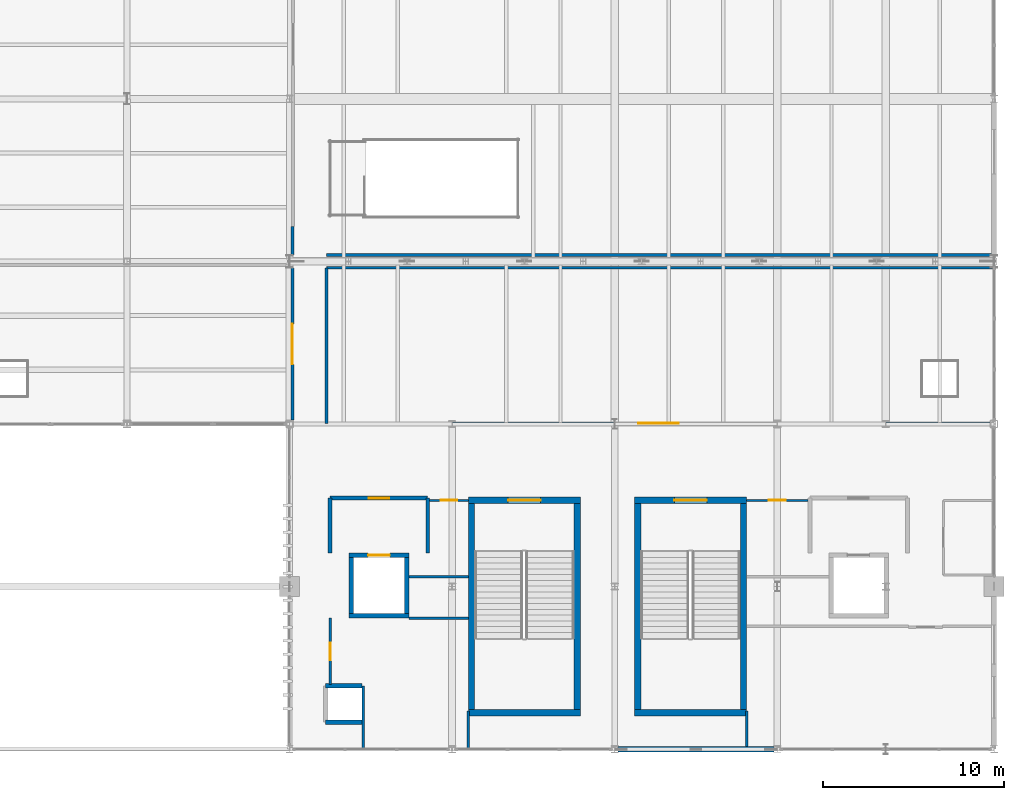
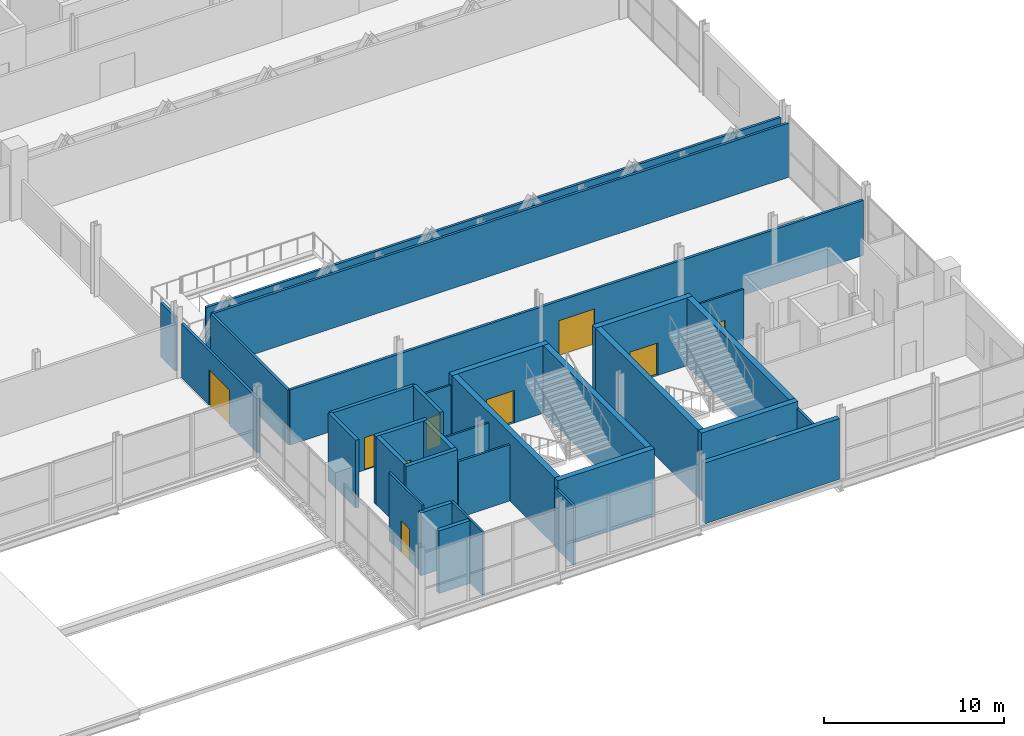
# One storey, part 196 of 224: 32 walls, 9 doors, 9 openings.
"""IFC4 building model written with IfcOpenShell, lengths in metres."""

from ifc_helpers import new_model, si_unit, direction, frame, frame_2d, origin, place, context, subcontext, project, spatial, rectangle, extrude, material, layer, layer_set, type_object, element, fill, save


model = new_model("IFC4")

# Units and contexts
model_context = context("Model", 3, precision=1e-05, world=origin(), true_north=direction((0.0, 1.0)))
body_context = subcontext(model_context, "Body", "Model", "MODEL_VIEW")
ifc_project = project(units=[si_unit("LENGTHUNIT", "METRE"), si_unit("AREAUNIT", "SQUARE_METRE"), si_unit("VOLUMEUNIT", "CUBIC_METRE"), si_unit("PLANEANGLEUNIT", "RADIAN"), si_unit("MASSUNIT", "GRAM", prefix="KILO")], contexts=[model_context])

# Site, building, storey
site_placement = place(None, origin())
site = spatial("IfcSite", under=ifc_project, at=site_placement, CompositionType="ELEMENT")
building_placement = place(site_placement, origin())
building = spatial("IfcBuilding", under=site, at=building_placement, Name="Qamarlyn Nura Convention Centre", CompositionType="ELEMENT")
storey_placement = place(building_placement, frame((0.0, 0.0, 10.800048828125)))
storey = spatial("IfcBuildingStorey", under=building, at=storey_placement, Name="L02", CompositionType="ELEMENT", Elevation=10.800048828125)

# Wall, opening, door
ifc_material_1 = material(Name="Fire-rated acoustic gypsum board and mineral wool EI 120")
ifc_layer_1 = layer(ifc_material_1, 0.219970703125, Name="WT-COMP-220")
ifc_layer_set_1 = layer_set([ifc_layer_1], Name="Fire-rated acoustic gypsum board and mineral wool EI 120")
wall_type_1 = type_object("IfcWallType", Name="WT-COMP-220", PredefinedType="SOLIDWALL", material=ifc_layer_set_1)
wall_1_placement = place(storey_placement, frame((155.25, 13.89990234375, 0.0), z_axis=(0.0, 0.0, 1.0), x_axis=(1.0, 0.0, 0.0)))
wall_1 = element("IfcWall", 1, at=wall_1_placement, inside=storey, type_object=wall_type_1, Name="L02 firefighting lobby barrier wall FFL-01-OPP", PredefinedType="SOLIDWALL", context=body_context, shape_type="SweptSolid", body=[
    extrude(rectangle(XDim=5.39990234375, YDim=0.219970703125, at=frame_2d((2.699951171875, 0.0))), origin(), (0.0, 0.0, 1.0), 4.599853515625),
])
opening_1_placement = place(wall_1_placement, frame((2.139892578125, 0.0, 0.0)))
opening_1 = element("IfcOpeningElement", 2, at=opening_1_placement, cuts=wall_1, Name="Opening DF-106", PredefinedType="OPENING", context=body_context, shape_type="SweptSolid", body=[
    extrude(rectangle(XDim=1.1201171875, YDim=2.199951171875, at=frame_2d((0.56005859375, 1.10009765625))), frame((0.0, 0.1201171875, 0.0), z_axis=(0.0, -1.0, 0.0), x_axis=(1.0, 0.0, 0.0)), (0.0, 0.0, 1.0), 0.239990234375),
])
ifc_material_2 = material(Name="Galvanised fire-rated hollow steel door", Category="steel")
door_type_1 = type_object("IfcDoorType", Name="DR-FFL-1120", OperationType="NOTDEFINED", PredefinedType="DOOR", material=ifc_material_2)
door_1_placement = place(opening_1_placement, origin())
door_1 = element("IfcDoor", 3, at=door_1_placement, inside=storey, type_object=door_type_1, Name="L02 firefighting lobby door FFL-01 (DF-106)", OperationType="SINGLE_SWING_RIGHT", OverallHeight=2.199951171875, OverallWidth=1.1201171875, PredefinedType="DOOR", context=body_context, shape_type="SweptSolid", body=[
    extrude(rectangle(XDim=1.1201171875, YDim=2.199951171875, at=frame_2d((0.56005859375, 1.10009765625))), frame((0.0, 0.02490234375, 0.0), z_axis=(0.0, -1.0, 0.0), x_axis=(1.0, 0.0, 0.0)), (0.0, 0.0, 1.0), 0.050048828125),
])
fill(opening_1, door_1)

# Walls
for number, where, z_axis, x_axis, name in (
    (4, (155.25, 10.85009765625, 0.0), (0.0, 0.0, 1.0), (0.0, 1.0, 0.0), "L02 firefighting lobby barrier wall FFL-01-W"),
    (5, (160.64990234375, 10.85009765625, 0.0), (0.0, 0.0, 1.0), (0.0, 1.0, 0.0), "L02 firefighting lobby barrier wall FFL-01-E"),
):
    element("IfcWall", number, at=place(storey_placement, frame(where, z_axis=z_axis, x_axis=x_axis)), inside=storey, type_object=wall_type_1, Name=name, PredefinedType="SOLIDWALL", context=body_context, shape_type="SweptSolid", body=[
        extrude(rectangle(XDim=3.0498046875, YDim=0.219970703125, at=frame_2d((1.52490234375, 0.0))), origin(), (0.0, 0.0, 1.0), 4.599853515625),
    ])
ifc_material_3 = material(Name="Concrete C50/60", Category="concrete")
ifc_layer_2 = layer(ifc_material_3, 0.35009765625, Name="WT-CORE-350")
ifc_layer_set_2 = layer_set([ifc_layer_2], Name="Concrete C50/60")
wall_type_2 = type_object("IfcWallType", Name="WT-CORE-350", PredefinedType="SHEAR", material=ifc_layer_set_2)
wall_2_placement = place(storey_placement, frame((162.89990234375, 2.02490234375, 0.0), z_axis=(0.0, 0.0, 1.0), x_axis=(1.0, 0.0, 0.0)))
element("IfcWall", 6, at=wall_2_placement, inside=storey, type_object=wall_type_2, Name="L02 stair core shear wall ST-09-S", PredefinedType="SHEAR", context=body_context, shape_type="SweptSolid", body=[
    extrude(rectangle(XDim=6.2001953125, YDim=0.35009765625, at=frame_2d((3.10009765625, 0.0))), origin(), (0.0, 0.0, 1.0), 4.599853515625),
])

# Wall, opening, door
wall_3_placement = place(storey_placement, frame((169.10009765625, 13.77490234375, 0.0), z_axis=(0.0, 0.0, 1.0), x_axis=(-1.0, 0.0, 0.0)))
wall_3 = element("IfcWall", 7, at=wall_3_placement, inside=storey, type_object=wall_type_2, Name="L02 stair core shear wall ST-09-N", PredefinedType="SHEAR", context=body_context, shape_type="SweptSolid", body=[
    extrude(rectangle(XDim=6.2001953125, YDim=0.35009765625, at=frame_2d((3.10009765625, 0.0))), origin(), (0.0, 0.0, 1.0), 4.599853515625),
])
opening_2_placement = place(wall_3_placement, frame((2.199951171875, 0.0, 0.0)))
opening_2 = element("IfcOpeningElement", 8, at=opening_2_placement, cuts=wall_3, Name="Opening DS-032", PredefinedType="OPENING", context=body_context, shape_type="SweptSolid", body=[
    extrude(rectangle(XDim=1.800048828125, YDim=2.199951171875, at=frame_2d((0.89990234375, 1.10009765625))), frame((0.0, 0.18505859375, 0.0), z_axis=(0.0, -1.0, 0.0), x_axis=(1.0, 0.0, 0.0)), (0.0, 0.0, 1.0), 0.3701171875),
])
door_type_2 = type_object("IfcDoorType", Name="DR-STAIR-1800", OperationType="DOUBLE_DOOR_SINGLE_SWING", PredefinedType="DOOR", material=ifc_material_2)
door_2_placement = place(opening_2_placement, origin())
door_2 = element("IfcDoor", 9, at=door_2_placement, inside=storey, type_object=door_type_2, Name="L02 exit stair door ST-09 (DS-032)", OperationType="DOUBLE_DOOR_SINGLE_SWING", OverallHeight=2.199951171875, OverallWidth=1.800048828125, PredefinedType="DOOR", context=body_context, shape_type="SweptSolid", body=[
    extrude(rectangle(XDim=1.800048828125, YDim=2.199951171875, at=frame_2d((0.89990234375, 1.10009765625))), frame((0.0, 0.02490234375, 0.0), z_axis=(0.0, -1.0, 0.0), x_axis=(1.0, 0.0, 0.0)), (0.0, 0.0, 1.0), 0.050048828125),
])
fill(opening_2, door_2)

# Walls
for number, where, z_axis, x_axis, name in (
    (10, (163.074951171875, 13.60009765625, 0.0), (0.0, 0.0, 1.0), (0.0, -1.0, 0.0), "L02 stair core shear wall ST-09-W"),
    (11, (168.925048828125, 2.199951171875, 0.0), (0.0, 0.0, 1.0), (0.0, 1.0, 0.0), "L02 stair core shear wall ST-09-E"),
):
    element("IfcWall", number, at=place(storey_placement, frame(where, z_axis=z_axis, x_axis=x_axis)), inside=storey, type_object=wall_type_2, Name=name, PredefinedType="SHEAR", context=body_context, shape_type="SweptSolid", body=[
        extrude(rectangle(XDim=11.400146484375, YDim=0.35009765625, at=frame_2d((5.7001953125, 0.0))), origin(), (0.0, 0.0, 1.0), 4.599853515625),
    ])
wall_4_placement = place(storey_placement, frame((172.10009765625, 2.02490234375, 0.0), z_axis=(0.0, 0.0, 1.0), x_axis=(1.0, 0.0, 0.0)))
element("IfcWall", 12, at=wall_4_placement, inside=storey, type_object=wall_type_2, Name="L02 stair core shear wall ST-10-S", PredefinedType="SHEAR", context=body_context, shape_type="SweptSolid", body=[
    extrude(rectangle(XDim=6.199951171875, YDim=0.35009765625, at=frame_2d((3.10009765625, 0.0))), origin(), (0.0, 0.0, 1.0), 4.599853515625),
])

# Wall, opening, door
wall_5_placement = place(storey_placement, frame((178.300048828125, 13.77490234375, 0.0), z_axis=(0.0, 0.0, 1.0), x_axis=(-1.0, 0.0, 0.0)))
wall_5 = element("IfcWall", 13, at=wall_5_placement, inside=storey, type_object=wall_type_2, Name="L02 stair core shear wall ST-10-N", PredefinedType="SHEAR", context=body_context, shape_type="SweptSolid", body=[
    extrude(rectangle(XDim=6.199951171875, YDim=0.35009765625, at=frame_2d((3.10009765625, 0.0))), origin(), (0.0, 0.0, 1.0), 4.599853515625),
])
opening_3_placement = place(wall_5_placement, frame((2.199951171875, 0.0, 0.0)))
opening_3 = element("IfcOpeningElement", 14, at=opening_3_placement, cuts=wall_5, Name="Opening DS-039", PredefinedType="OPENING", context=body_context, shape_type="SweptSolid", body=[
    extrude(rectangle(XDim=1.800048828125, YDim=2.199951171875, at=frame_2d((0.89990234375, 1.10009765625))), frame((0.0, 0.18505859375, 0.0), z_axis=(0.0, -1.0, 0.0), x_axis=(1.0, 0.0, 0.0)), (0.0, 0.0, 1.0), 0.3701171875),
])
door_3_placement = place(opening_3_placement, origin())
door_3 = element("IfcDoor", 15, at=door_3_placement, inside=storey, type_object=door_type_2, Name="L02 exit stair door ST-10 (DS-039)", OperationType="DOUBLE_DOOR_SINGLE_SWING", OverallHeight=2.199951171875, OverallWidth=1.800048828125, PredefinedType="DOOR", context=body_context, shape_type="SweptSolid", body=[
    extrude(rectangle(XDim=1.800048828125, YDim=2.199951171875, at=frame_2d((0.89990234375, 1.10009765625))), frame((0.0, 0.02490234375, 0.0), z_axis=(0.0, -1.0, 0.0), x_axis=(1.0, 0.0, 0.0)), (0.0, 0.0, 1.0), 0.050048828125),
])
fill(opening_3, door_3)

# Walls
for number, where, z_axis, x_axis, name in (
    (16, (172.27490234375, 13.60009765625, 0.0), (0.0, 0.0, 1.0), (0.0, -1.0, 0.0), "L02 stair core shear wall ST-10-W"),
    (17, (178.125, 2.199951171875, 0.0), (0.0, 0.0, 1.0), (0.0, 1.0, 0.0), "L02 stair core shear wall ST-10-E"),
):
    element("IfcWall", number, at=place(storey_placement, frame(where, z_axis=z_axis, x_axis=x_axis)), inside=storey, type_object=wall_type_2, Name=name, PredefinedType="SHEAR", context=body_context, shape_type="SweptSolid", body=[
        extrude(rectangle(XDim=11.400146484375, YDim=0.35009765625, at=frame_2d((5.7001953125, 0.0))), origin(), (0.0, 0.0, 1.0), 4.599853515625),
    ])
ifc_material_4 = material(Name="Concrete C40/50 with UAE coastal limestone stone facing", Category="masonry")
ifc_layer_3 = layer(ifc_material_4, 0.300048828125, Name="WT-LIME-300")
ifc_layer_set_3 = layer_set([ifc_layer_3], Name="Concrete C40/50 with UAE coastal limestone stone facing")
wall_type_3 = type_object("IfcWallType", Name="WT-LIME-300", PredefinedType="SOLIDWALL", material=ifc_layer_set_3)
wall_6_placement = place(storey_placement, frame((179.8154296875, 0.0, 0.0), z_axis=(0.0, 0.0, 1.0), x_axis=(-1.0, 0.0, 0.0)))
element("IfcWall", 18, at=wall_6_placement, inside=storey, type_object=wall_type_3, Name="L02 exterior facade wall WEXT-L02-1798-0-1712-0", PredefinedType="SOLIDWALL", context=body_context, shape_type="SweptSolid", body=[
    extrude(rectangle(XDim=8.62841796875, YDim=0.300048828125, at=frame_2d((4.314208984375, 0.0))), origin(), (0.0, 0.0, 1.0), 4.118896484375),
])

# Wall, opening, door
ifc_material_5 = material(Name="Acoustic double-stud gypsum partition")
ifc_layer_4 = layer(ifc_material_5, 0.1201171875, Name="WT-PART-120")
ifc_layer_set_4 = layer_set([ifc_layer_4], Name="Acoustic double-stud gypsum partition")
wall_type_4 = type_object("IfcWallType", Name="WT-PART-120", PredefinedType="PARTITIONING", material=ifc_layer_set_4)
wall_7_placement = place(storey_placement, frame((160.760009765625, 13.77490234375, 0.0), z_axis=(0.0, 0.0, 1.0), x_axis=(1.0, 0.0, 0.0)))
wall_7 = element("IfcWall", 19, at=wall_7_placement, inside=storey, type_object=wall_type_4, Name="L02 interior partition L02-WC-M-L02-18-1", PredefinedType="PARTITIONING", context=body_context, shape_type="SweptSolid", body=[
    extrude(rectangle(XDim=2.139892578125, YDim=0.1201171875, at=frame_2d((1.06982421875, 0.0))), origin(), (0.0, 0.0, 1.0), 3.889892578125),
])
opening_4_placement = place(wall_7_placement, frame((0.610107421875, 0.0, 0.0)))
opening_4 = element("IfcOpeningElement", 20, at=opening_4_placement, cuts=wall_7, Name="Opening D-L02-177", PredefinedType="OPENING", context=body_context, shape_type="SweptSolid", body=[
    extrude(rectangle(XDim=0.919921875, YDim=2.1201171875, at=frame_2d((0.4599609375, 1.06005859375))), frame((0.0, 0.070068359375, 0.0), z_axis=(0.0, -1.0, 0.0), x_axis=(1.0, 0.0, 0.0)), (0.0, 0.0, 1.0), 0.14013671875),
])
ifc_material_6 = material(Name="Acoustic walnut timber leaf", Category="wood")
door_type_3 = type_object("IfcDoorType", Name="DR-WC-STD-092", OperationType="NOTDEFINED", PredefinedType="DOOR", material=ifc_material_6)
door_4_placement = place(opening_4_placement, origin())
door_4 = element("IfcDoor", 21, at=door_4_placement, inside=storey, type_object=door_type_3, Name="L02 Male WC L02 door D-L02-177", OperationType="SINGLE_SWING_RIGHT", OverallHeight=2.1201171875, OverallWidth=0.919921875, PredefinedType="DOOR", context=body_context, shape_type="SweptSolid", body=[
    extrude(rectangle(XDim=0.919921875, YDim=2.1201171875, at=frame_2d((0.4599609375, 1.06005859375))), frame((0.0, 0.02490234375, 0.0), z_axis=(0.0, -1.0, 0.0), x_axis=(1.0, 0.0, 0.0)), (0.0, 0.0, 1.0), 0.050048828125),
])
fill(opening_4, door_4)

# Wall
wall_8_placement = place(storey_placement, frame((162.89990234375, 9.550048828125, 0.0), z_axis=(0.0, 0.0, 1.0), x_axis=(-1.0, 0.0, 0.0)))
element("IfcWall", 22, at=wall_8_placement, inside=storey, type_object=wall_type_4, Name="L02 interior partition L02-WC-M-L02-24-1", PredefinedType="PARTITIONING", context=body_context, shape_type="SweptSolid", body=[
    extrude(rectangle(XDim=3.2998046875, YDim=0.1201171875, at=frame_2d((1.64990234375, 0.0))), origin(), (0.0, 0.0, 1.0), 3.889892578125),
])

# Wall, opening, door
wall_9_placement = place(storey_placement, frame((178.300048828125, 13.77490234375, 0.0), z_axis=(0.0, 0.0, 1.0), x_axis=(1.0, 0.0, 0.0)))
wall_9 = element("IfcWall", 23, at=wall_9_placement, inside=storey, type_object=wall_type_4, Name="L02 interior partition L02-WC-F-L02-1-1", PredefinedType="PARTITIONING", context=body_context, shape_type="SweptSolid", body=[
    extrude(rectangle(XDim=3.389892578125, YDim=0.1201171875, at=frame_2d((1.69482421875, 0.0))), origin(), (0.0, 0.0, 1.0), 3.81201171875),
])
opening_5_placement = place(wall_9_placement, frame((1.235107421875, 0.0, 0.0)))
opening_5 = element("IfcOpeningElement", 24, at=opening_5_placement, cuts=wall_9, Name="Opening D-L02-178", PredefinedType="OPENING", context=body_context, shape_type="SweptSolid", body=[
    extrude(rectangle(XDim=0.919921875, YDim=2.1201171875, at=frame_2d((0.4599609375, 1.06005859375))), frame((0.0, 0.070068359375, 0.0), z_axis=(0.0, -1.0, 0.0), x_axis=(1.0, 0.0, 0.0)), (0.0, 0.0, 1.0), 0.14013671875),
])
door_5_placement = place(opening_5_placement, origin())
door_5 = element("IfcDoor", 25, at=door_5_placement, inside=storey, type_object=door_type_3, Name="L02 Female WC L02 door D-L02-178", OperationType="SINGLE_SWING_LEFT", OverallHeight=2.1201171875, OverallWidth=0.919921875, PredefinedType="DOOR", context=body_context, shape_type="SweptSolid", body=[
    extrude(rectangle(XDim=0.919921875, YDim=2.1201171875, at=frame_2d((0.4599609375, 1.06005859375))), frame((0.0, 0.02490234375, 0.0), z_axis=(0.0, -1.0, 0.0), x_axis=(1.0, 0.0, 0.0)), (0.0, 0.0, 1.0), 0.050048828125),
])
fill(opening_5, door_5)

# Walls
ifc_layer_5 = layer(ifc_material_5, 0.135009765625, Name="WT-PART-135")
ifc_layer_set_5 = layer_set([ifc_layer_5], Name="Acoustic double-stud gypsum partition")
wall_type_5 = type_object("IfcWallType", Name="WT-PART-135", PredefinedType="PARTITIONING", material=ifc_layer_set_5)
wall_10_placement = place(storey_placement, frame((159.60009765625, 7.25, 0.0), z_axis=(0.0, 0.0, 1.0), x_axis=(1.0, 0.0, 0.0)))
element("IfcWall", 26, at=wall_10_placement, inside=storey, type_object=wall_type_5, Name="L02 interior partition L02-MED-BRF2-8-1", PredefinedType="PARTITIONING", context=body_context, shape_type="SweptSolid", body=[
    extrude(rectangle(XDim=3.2998046875, YDim=0.135009765625, at=frame_2d((1.64990234375, 0.0))), origin(), (0.0, 0.0, 1.0), 3.81201171875),
])
wall_11_placement = place(storey_placement, frame((162.89990234375, 2.117431640625, 0.0), z_axis=(0.0, 0.0, 1.0), x_axis=(0.0, -1.0, 0.0)))
element("IfcWall", 27, at=wall_11_placement, inside=storey, type_object=wall_type_5, Name="L02 interior partition L02-MED-BRF2-13-1", PredefinedType="PARTITIONING", context=body_context, shape_type="SweptSolid", body=[
    extrude(rectangle(XDim=2.10546875, YDim=0.135009765625, at=frame_2d((1.052734375, 0.0))), origin(), (0.0, 0.0, 1.0), 4.0458984375),
])
wall_12_placement = place(storey_placement, frame((157.080078125, 0.011962890625, 0.0), z_axis=(0.0, 0.0, 1.0), x_axis=(0.0, 1.0, 0.0)))
element("IfcWall", 28, at=wall_12_placement, inside=storey, type_object=wall_type_5, Name="L02 interior partition L02-MED-BRF2-33-1", PredefinedType="PARTITIONING", context=body_context, shape_type="SweptSolid", body=[
    extrude(rectangle(XDim=3.488037109375, YDim=0.135009765625, at=frame_2d((1.744140625, 0.0))), origin(), (0.0, 0.0, 1.0), 4.284912109375),
])

# Wall, opening, door
wall_13_placement = place(storey_placement, frame((155.25, 3.580078125, 0.0), z_axis=(0.0, 0.0, 1.0), x_axis=(0.0, 1.0, 0.0)))
wall_13 = element("IfcWall", 29, at=wall_13_placement, inside=storey, type_object=wall_type_5, Name="L02 interior partition L02-MED-BRF2-51-1", PredefinedType="PARTITIONING", context=body_context, shape_type="SweptSolid", body=[
    extrude(rectangle(XDim=3.669921875, YDim=0.135009765625, at=frame_2d((1.8349609375, 0.0))), origin(), (0.0, 0.0, 1.0), 4.599853515625),
])
opening_6_placement = place(wall_13_placement, frame((1.35498046875, 0.0, 0.0)))
opening_6 = element("IfcOpeningElement", 30, at=opening_6_placement, cuts=wall_13, Name="Opening D-L02-180", PredefinedType="OPENING", context=body_context, shape_type="SweptSolid", body=[
    extrude(rectangle(XDim=0.9599609375, YDim=2.14990234375, at=frame_2d((0.47998046875, 1.074951171875))), frame((0.0, 0.07763671875, 0.0), z_axis=(0.0, -1.0, 0.0), x_axis=(1.0, 0.0, 0.0)), (0.0, 0.0, 1.0), 0.155029296875),
])
door_type_4 = type_object("IfcDoorType", Name="DR-ROOM-0960", OperationType="NOTDEFINED", PredefinedType="DOOR", material=ifc_material_6)
door_6_placement = place(opening_6_placement, origin())
door_6 = element("IfcDoor", 31, at=door_6_placement, inside=storey, type_object=door_type_4, Name="L02 Press Interview Suite 204 door D-L02-180", OperationType="SINGLE_SWING_LEFT", OverallHeight=2.14990234375, OverallWidth=0.9599609375, PredefinedType="DOOR", context=body_context, shape_type="SweptSolid", body=[
    extrude(rectangle(XDim=0.9599609375, YDim=2.14990234375, at=frame_2d((0.47998046875, 1.074951171875))), frame((0.0, 0.02490234375, 0.0), z_axis=(0.0, -1.0, 0.0), x_axis=(1.0, 0.0, 0.0)), (0.0, 0.0, 1.0), 0.050048828125),
])
fill(opening_6, door_6)

# Wall
wall_14_placement = place(storey_placement, frame((178.300048828125, 0.14990234375, 0.0), z_axis=(0.0, 0.0, 1.0), x_axis=(0.0, 1.0, 0.0)))
element("IfcWall", 32, at=wall_14_placement, inside=storey, type_object=wall_type_5, Name="L02 interior partition L02-MED-BRF1-42-1", PredefinedType="PARTITIONING", context=body_context, shape_type="SweptSolid", body=[
    extrude(rectangle(XDim=1.967529296875, YDim=0.135009765625, at=frame_2d((0.98388671875, 0.0))), origin(), (0.0, 0.0, 1.0), 4.118896484375),
])

# Wall, opening, door
ifc_material_7 = material(Name="Fire-rated acoustic gypsum board EI 60")
ifc_layer_6 = layer(ifc_material_7, 0.159912109375, Name="WT-PART-160")
ifc_layer_set_6 = layer_set([ifc_layer_6], Name="Fire-rated acoustic gypsum board EI 60")
wall_type_6 = type_object("IfcWallType", Name="WT-PART-160", PredefinedType="PARTITIONING", material=ifc_layer_set_6)
wall_15_placement = place(storey_placement, frame((153.159912109375, 26.639892578125, 0.0), z_axis=(0.0, 0.0, 1.0), x_axis=(0.0, -1.0, 0.0)))
wall_15 = element("IfcWall", 33, at=wall_15_placement, inside=storey, type_object=wall_type_6, Name="L02 interior partition L02-BLR-WEST-2-1", PredefinedType="PARTITIONING", context=body_context, shape_type="SweptSolid", body=[
    extrude(rectangle(XDim=8.429931640625, YDim=0.159912109375, at=frame_2d((4.21484375, 0.0))), origin(), (0.0, 0.0, 1.0), 3.6728515625),
])
opening_7_placement = place(wall_15_placement, frame((3.090087890625, 0.0, 0.0)))
opening_7 = element("IfcOpeningElement", 34, at=opening_7_placement, cuts=wall_15, Name="Opening D-L02-182", PredefinedType="OPENING", context=body_context, shape_type="SweptSolid", body=[
    extrude(rectangle(XDim=2.25, YDim=2.39990234375, at=frame_2d((1.125, 1.199951171875))), frame((0.0, 0.08984375, 0.0), z_axis=(0.0, -1.0, 0.0), x_axis=(1.0, 0.0, 0.0)), (0.0, 0.0, 1.0), 0.179931640625),
])
door_type_5 = type_object("IfcDoorType", Name="DR-HALL-2250", OperationType="DOUBLE_DOOR_SINGLE_SWING", PredefinedType="DOOR", material=ifc_material_6)
door_7_placement = place(opening_7_placement, origin())
door_7 = element("IfcDoor", 35, at=door_7_placement, inside=storey, type_object=door_type_5, Name="L02 Grand Ballroom West Salon door D-L02-182", OperationType="DOUBLE_DOOR_SINGLE_SWING", OverallHeight=2.39990234375, OverallWidth=2.25, PredefinedType="DOOR", context=body_context, shape_type="SweptSolid", body=[
    extrude(rectangle(XDim=2.25, YDim=2.39990234375, at=frame_2d((1.125, 1.199951171875))), frame((0.0, 0.02490234375, 0.0), z_axis=(0.0, -1.0, 0.0), x_axis=(1.0, 0.0, 0.0)), (0.0, 0.0, 1.0), 0.050048828125),
])
fill(opening_7, door_7)

wall_16_placement = place(storey_placement, frame((191.7900390625, 18.0400390625, 0.0), z_axis=(0.0, 0.0, 1.0), x_axis=(-1.0, 0.0, 0.0)))
wall_16 = element("IfcWall", 36, at=wall_16_placement, inside=storey, type_object=wall_type_6, Name="L02 interior partition L02-BLR-STH-2-1", PredefinedType="PARTITIONING", context=body_context, shape_type="SweptSolid", body=[
    extrude(rectangle(XDim=36.75, YDim=0.159912109375, at=frame_2d((18.375, 0.0))), origin(), (0.0, 0.0, 1.0), 3.72998046875),
])
opening_8_placement = place(wall_16_placement, frame((17.25, 0.0, 0.0)))
opening_8 = element("IfcOpeningElement", 37, at=opening_8_placement, cuts=wall_16, Name="Opening D-L02-188", PredefinedType="OPENING", context=body_context, shape_type="SweptSolid", body=[
    extrude(rectangle(XDim=2.25, YDim=2.39990234375, at=frame_2d((1.125, 1.199951171875))), frame((0.0, 0.08984375, 0.0), z_axis=(0.0, -1.0, 0.0), x_axis=(1.0, 0.0, 0.0)), (0.0, 0.0, 1.0), 0.179931640625),
])
door_8_placement = place(opening_8_placement, origin())
door_8 = element("IfcDoor", 38, at=door_8_placement, inside=storey, type_object=door_type_5, Name="L02 Grand Ballroom South Salon door D-L02-188", OperationType="DOUBLE_DOOR_SINGLE_SWING", OverallHeight=2.39990234375, OverallWidth=2.25, PredefinedType="DOOR", context=body_context, shape_type="SweptSolid", body=[
    extrude(rectangle(XDim=2.25, YDim=2.39990234375, at=frame_2d((1.125, 1.199951171875))), frame((0.0, 0.02490234375, 0.0), z_axis=(0.0, -1.0, 0.0), x_axis=(1.0, 0.0, 0.0)), (0.0, 0.0, 1.0), 0.050048828125),
])
fill(opening_8, door_8)

# Walls
wall_17_placement = place(storey_placement, frame((155.0400390625, 18.0400390625, 0.0), z_axis=(0.0, 0.0, 1.0), x_axis=(0.0, 1.0, 0.0)))
element("IfcWall", 39, at=wall_17_placement, inside=storey, type_object=wall_type_6, Name="L02 interior partition L02-BLR-STH-3-1", PredefinedType="PARTITIONING", context=body_context, shape_type="SweptSolid", body=[
    extrude(rectangle(XDim=8.60986328125, YDim=0.159912109375, at=frame_2d((4.304931640625, 0.0))), origin(), (0.0, 0.0, 1.0), 3.6728515625),
])
wall_18_placement = place(storey_placement, frame((155.0400390625, 26.64990234375, 0.0), z_axis=(0.0, 0.0, 1.0), x_axis=(1.0, 0.0, 0.0)))
element("IfcWall", 40, at=wall_18_placement, inside=storey, type_object=wall_type_6, Name="L02 interior partition L02-BLR-STH-4-1", PredefinedType="PARTITIONING", context=body_context, shape_type="SweptSolid", body=[
    extrude(rectangle(XDim=36.947998046875, YDim=0.159912109375, at=frame_2d((18.47412109375, 0.0))), origin(), (0.0, 0.0, 1.0), 3.6728515625),
])
wall_19_placement = place(storey_placement, frame((153.159912109375, 28.93994140625, 0.0), z_axis=(0.0, 0.0, 1.0), x_axis=(0.0, -1.0, 0.0)))
element("IfcWall", 41, at=wall_19_placement, inside=storey, type_object=wall_type_6, Name="L02 interior partition L02-BLR-FOY-35-1", PredefinedType="PARTITIONING", context=body_context, shape_type="SweptSolid", body=[
    extrude(rectangle(XDim=1.579833984375, YDim=0.159912109375, at=frame_2d((0.7900390625, 0.0))), origin(), (0.0, 0.0, 1.0), 3.6728515625),
])
wall_20_placement = place(storey_placement, frame((191.8701171875, 27.35009765625, 0.0), z_axis=(0.0, 0.0, 1.0), x_axis=(-1.0, 0.0, 0.0)))
element("IfcWall", 42, at=wall_20_placement, inside=storey, type_object=wall_type_6, Name="L02 interior partition L02-BLR-MAIN-2-1", PredefinedType="PARTITIONING", context=body_context, shape_type="SweptSolid", body=[
    extrude(rectangle(XDim=36.830078125, YDim=0.159912109375, at=frame_2d((18.4150390625, 0.0))), origin(), (0.0, 0.0, 1.0), 3.6728515625),
])
ifc_layer_7 = layer(ifc_material_1, 0.25, Name="WT-SHAFT-250")
ifc_layer_set_7 = layer_set([ifc_layer_7], Name="Fire-rated acoustic gypsum board and mineral wool EI 120")
wall_type_7 = type_object("IfcWallType", Name="WT-SHAFT-250", PredefinedType="SOLIDWALL", material=ifc_layer_set_7)
wall_21_placement = place(storey_placement, frame((156.300048828125, 7.375, 0.0), z_axis=(0.0, 0.0, 1.0), x_axis=(1.0, 0.0, 0.0)))
element("IfcWall", 43, at=wall_21_placement, inside=storey, type_object=wall_type_7, Name="L02 lift shaft enclosure wall FFL-01 -y", PredefinedType="SOLIDWALL", context=body_context, shape_type="SweptSolid", body=[
    extrude(rectangle(XDim=3.300048828125, YDim=0.25, at=frame_2d((1.64990234375, 0.0))), origin(), (0.0, 0.0, 1.0), 4.599853515625),
])

# Wall, opening, door
wall_22_placement = place(storey_placement, frame((159.60009765625, 10.72509765625, 0.0), z_axis=(0.0, 0.0, 1.0), x_axis=(-1.0, 0.0, 0.0)))
wall_22 = element("IfcWall", 44, at=wall_22_placement, inside=storey, type_object=wall_type_7, Name="L02 lift shaft enclosure wall FFL-01 +y", PredefinedType="SOLIDWALL", context=body_context, shape_type="SweptSolid", body=[
    extrude(rectangle(XDim=3.300048828125, YDim=0.25, at=frame_2d((1.64990234375, 0.0))), origin(), (0.0, 0.0, 1.0), 4.599853515625),
])
opening_9_placement = place(wall_22_placement, frame((1.050048828125, 0.0, 0.0)))
opening_9 = element("IfcOpeningElement", 45, at=opening_9_placement, cuts=wall_22, Name="Opening LD-FFL-01-L02", PredefinedType="OPENING", context=body_context, shape_type="SweptSolid", body=[
    extrude(rectangle(XDim=1.199951171875, YDim=2.25, at=frame_2d((0.60009765625, 1.125))), frame((0.0, 0.135009765625, 0.0), z_axis=(0.0, -1.0, 0.0), x_axis=(1.0, 0.0, 0.0)), (0.0, 0.0, 1.0), 0.27001953125),
])
ifc_material_8 = material(Name="Marine Grade 316 stainless steel", Category="steel")
door_type_6 = type_object("IfcDoorType", Name="DR-LD-FFL", OperationType="DOUBLE_DOOR_SLIDING", PredefinedType="DOOR", material=ifc_material_8)
door_9_placement = place(opening_9_placement, origin())
door_9 = element("IfcDoor", 46, at=door_9_placement, inside=storey, type_object=door_type_6, Name="Lift landing door LD-FFL-01-L02", OperationType="DOUBLE_DOOR_SLIDING", OverallHeight=2.25, OverallWidth=1.199951171875, PredefinedType="DOOR", context=body_context, shape_type="SweptSolid", body=[
    extrude(rectangle(XDim=1.199951171875, YDim=2.25, at=frame_2d((0.60009765625, 1.125))), frame((0.0, 0.02490234375, 0.0), z_axis=(0.0, -1.0, 0.0), x_axis=(1.0, 0.0, 0.0)), (0.0, 0.0, 1.0), 0.050048828125),
])
fill(opening_9, door_9)

# Walls
for number, where, z_axis, x_axis, name in (
    (47, (156.425048828125, 10.60009765625, 0.0), (0.0, 0.0, 1.0), (0.0, -1.0, 0.0), "L02 lift shaft enclosure wall FFL-01 -x"),
    (48, (159.47509765625, 7.5, 0.0), (0.0, 0.0, 1.0), (0.0, 1.0, 0.0), "L02 lift shaft enclosure wall FFL-01 +x"),
):
    element("IfcWall", number, at=place(storey_placement, frame(where, z_axis=z_axis, x_axis=x_axis)), inside=storey, type_object=wall_type_7, Name=name, PredefinedType="SOLIDWALL", context=body_context, shape_type="SweptSolid", body=[
        extrude(rectangle(XDim=3.10009765625, YDim=0.25, at=frame_2d((1.550048828125, 0.0))), origin(), (0.0, 0.0, 1.0), 4.599853515625),
    ])
for number, where, z_axis, x_axis, name in (
    (49, (155.0, 1.5, 0.0), (0.0, 0.0, 1.0), (1.0, 0.0, 0.0), "L02 MEP riser shaft wall 29-S"),
    (50, (157.0, 3.5, 0.0), (0.0, 0.0, 1.0), (-1.0, 0.0, 0.0), "L02 MEP riser shaft wall 29-N"),
):
    element("IfcWall", number, at=place(storey_placement, frame(where, z_axis=z_axis, x_axis=x_axis)), inside=storey, type_object=wall_type_7, Name=name, PredefinedType="SOLIDWALL", context=body_context, shape_type="SweptSolid", body=[
        extrude(rectangle(XDim=2.0, YDim=0.25, at=frame_2d((1.0, 0.0))), origin(), (0.0, 0.0, 1.0), 4.25),
    ])

save(model, "model.ifc")
